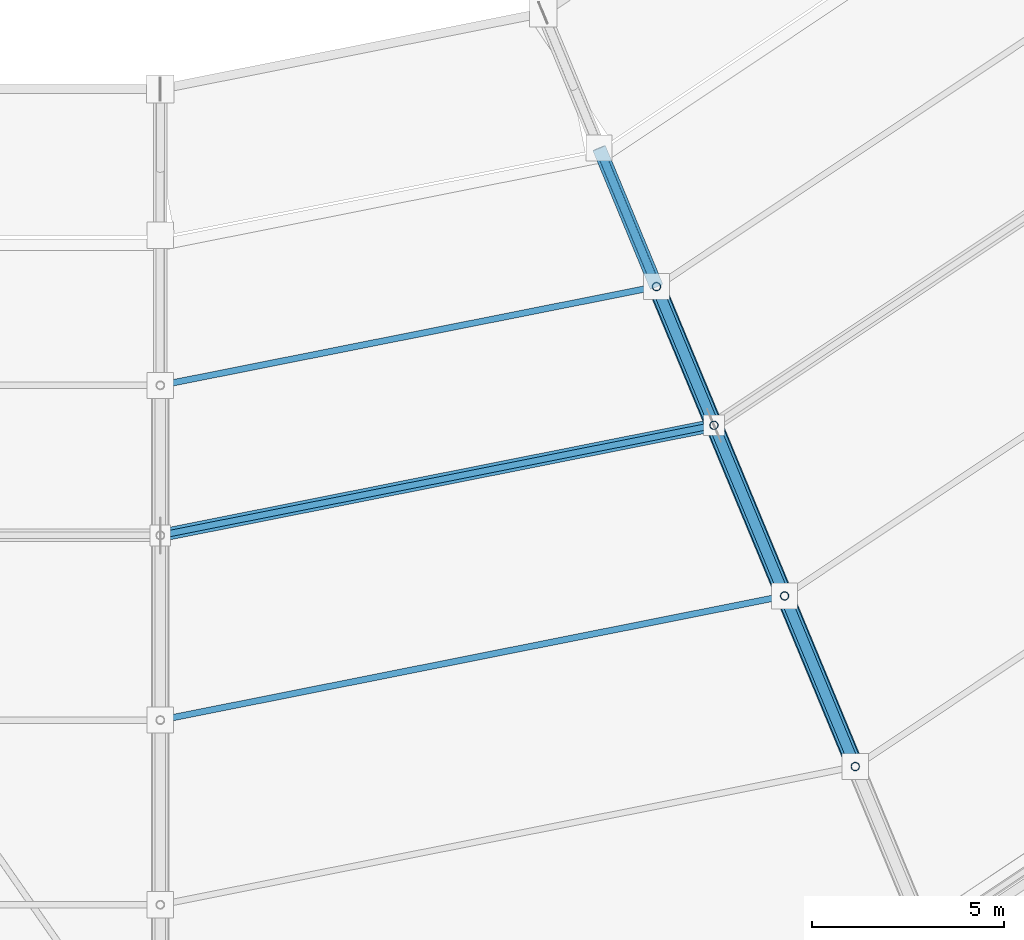
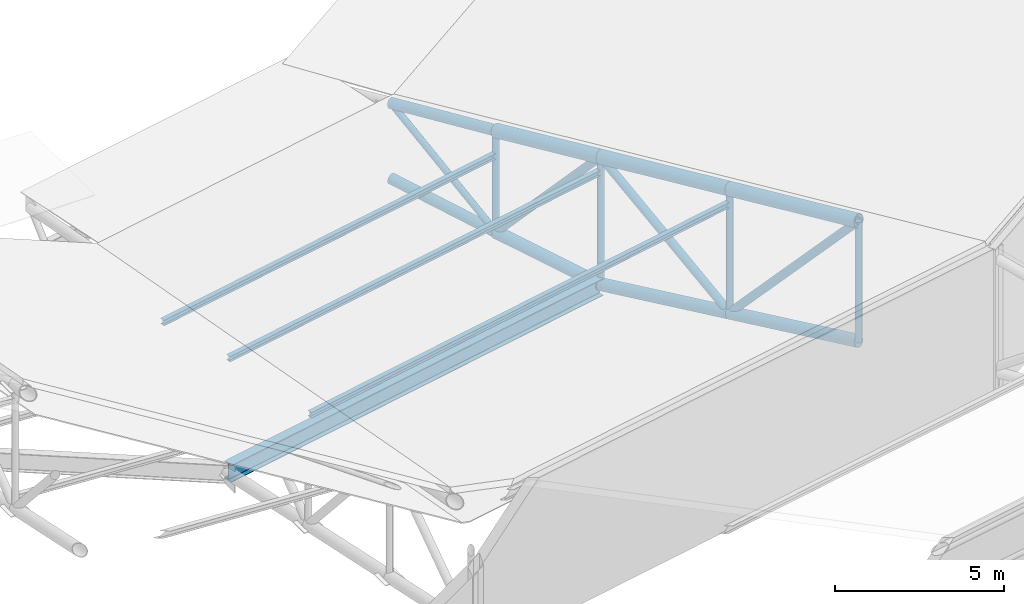
# One storey, part 62 of 146: 19 members, 1 beam.
"""IFC4 building model written with IfcOpenShell, lengths in metres."""

from ifc_helpers import new_model, si_unit, direction, frame, origin, origin_2d, place, context, subcontext, project, spatial, hollow_circle, i_section, extrude, material, material_profile, profile_set, type_object, element, save


model = new_model("IFC4")

# Units and contexts
model_context = context("Model", 3, precision=1e-05, world=origin(), true_north=direction((0.0, 1.0)))
body_context = subcontext(model_context, "Body", "Model", "MODEL_VIEW")
ifc_project = project(units=[si_unit("LENGTHUNIT", "METRE"), si_unit("AREAUNIT", "SQUARE_METRE"), si_unit("VOLUMEUNIT", "CUBIC_METRE"), si_unit("PLANEANGLEUNIT", "RADIAN"), si_unit("MASSUNIT", "GRAM", prefix="KILO")], contexts=[model_context])

# Site, building, storey
site_placement = place(None, origin())
site = spatial("IfcSite", under=ifc_project, at=site_placement, CompositionType="ELEMENT")
building_placement = place(site_placement, origin())
building = spatial("IfcBuilding", under=site, at=building_placement, Name="Candeia Ridge Stadium", CompositionType="ELEMENT")
storey_placement = place(building_placement, frame((0.0, 0.0, 31.800048828125)))
storey = spatial("IfcBuildingStorey", under=building, at=storey_placement, Name="RF", CompositionType="ELEMENT", Elevation=31.800048828125)

# Beam
ifc_material = material(Name="Steel ASTM A572 Grade 50", Category="steel")
ifc_material_profile_1 = material_profile(ifc_material, i_section(OverallWidth=0.324951171875, OverallDepth=0.615966796875, WebThickness=0.013916015625, FlangeThickness=0.021484375, FilletRadius=0.014892578125, at=origin_2d()), Name="W610x174", Category="steel")
ifc_profile_set_1 = profile_set([ifc_material_profile_1], Name="Steel ASTM A572 Grade 50")
beam_type = type_object("IfcBeamType", Name="Roof Compression Ring Beam W610x174", PredefinedType="BEAM", material=ifc_profile_set_1)
beam_placement = place(storey_placement, frame((141.039306640625, 33.40771484375, -2.6640625), z_axis=(0.980782874014, 0.195102419364, 0.0), x_axis=(-0.195102419364, 0.980782874014, 0.0)))
element("IfcBeam", 1, at=beam_placement, inside=storey, type_object=beam_type, Name="Roof compression ring beam bay 26", PredefinedType="BEAM", context=body_context, shape_type="SweptSolid", body=[
    extrude(i_section(OverallWidth=0.324951171875, OverallDepth=0.615966796875, WebThickness=0.013916015625, FlangeThickness=0.021484375, FilletRadius=0.014892578125, at=origin_2d()), origin(), (0.0, 0.0, 1.0), 14.590576171875),
])

# Members
ifc_material_profile_2 = material_profile(ifc_material, i_section(OverallWidth=0.1650390625, OverallDepth=0.200927734375, WebThickness=0.006103515625, FlangeThickness=0.01025390625, FilletRadius=0.010009765625, at=origin_2d()), Name="W200x35.9", Category="steel")
ifc_profile_set_2 = profile_set([ifc_material_profile_2], Name="Steel ASTM A572 Grade 50")
member_type_1 = type_object("IfcMemberType", Name="Roof Purlin W200x35.9", PredefinedType="PURLIN", material=ifc_profile_set_2)
member_1_placement = place(storey_placement, frame((141.049072265625, 37.309814453125, 0.3544921875), z_axis=(0.980786655499, 0.195083408815, 0.0), x_axis=(-0.195083408815, 0.980786655499, 0.0)))
element("IfcMember", 2, at=member_1_placement, inside=storey, type_object=member_type_1, Name="Saddle roof steel purlin bay 26-1", PredefinedType="PURLIN", context=body_context, shape_type="SweptSolid", body=[
    extrude(i_section(OverallWidth=0.1650390625, OverallDepth=0.200927734375, WebThickness=0.006103515625, FlangeThickness=0.01025390625, FilletRadius=0.010009765625, at=origin_2d()), origin(), (0.0, 0.0, 1.0), 13.049072265625),
])
member_2_placement = place(storey_placement, frame((141.049072265625, 33.40966796875, 1.416015625), z_axis=(0.980783149699, 0.195101033486, 0.0), x_axis=(-0.195101033486, 0.980783149699, 0.0)))
element("IfcMember", 3, at=member_2_placement, inside=storey, type_object=member_type_1, Name="Saddle roof steel purlin bay 26-2", PredefinedType="PURLIN", context=body_context, shape_type="SweptSolid", body=[
    extrude(i_section(OverallWidth=0.1650390625, OverallDepth=0.200927734375, WebThickness=0.006103515625, FlangeThickness=0.01025390625, FilletRadius=0.010009765625, at=origin_2d()), origin(), (0.0, 0.0, 1.0), 14.57080078125),
])
member_3_placement = place(storey_placement, frame((141.049072265625, 28.60986328125, 2.303955078125), z_axis=(0.980785144259, 0.195091006457, 0.0), x_axis=(-0.195091006457, 0.980785144259, 0.0)))
element("IfcMember", 4, at=member_3_placement, inside=storey, type_object=member_type_1, Name="Saddle roof steel purlin bay 26-3", PredefinedType="PURLIN", context=body_context, shape_type="SweptSolid", body=[
    extrude(i_section(OverallWidth=0.1650390625, OverallDepth=0.200927734375, WebThickness=0.006103515625, FlangeThickness=0.01025390625, FilletRadius=0.010009765625, at=origin_2d()), origin(), (0.0, 0.0, 1.0), 16.443603515625),
])
ifc_material_profile_3 = material_profile(ifc_material, hollow_circle(Radius=0.136474609375, WallThickness=0.010009765625, at=origin_2d()), Name="CHS273x10", Category="steel")
ifc_profile_set_3 = profile_set([ifc_material_profile_3], Name="Steel ASTM A572 Grade 50")
member_type_2 = type_object("IfcMemberType", Name="Roof Truss Heavy Web Brace CHS273x10", PredefinedType="BRACE", material=ifc_profile_set_3)
member_4_placement = place(storey_placement, frame((153.896484375, 39.865234375, -2.444091796875), z_axis=(0.254477196729, -0.61435865685, 0.746863305498), x_axis=(0.923878730261, 0.382685369162, 0.0)))
element("IfcMember", 5, at=member_4_placement, inside=storey, type_object=member_type_2, Name="Roof cantilever truss RT-27 diagonal web 3", PredefinedType="BRACE", context=body_context, shape_type="SweptSolid", body=[
    extrude(hollow_circle(Radius=0.136474609375, WallThickness=0.010009765625, at=origin_2d()), origin(), (0.0, 0.0, 1.0), 5.86474609375),
])
member_5_placement = place(storey_placement, frame((155.388916015625, 36.26220703125, 1.93603515625), z_axis=(0.306791934683, -0.740679890153, -0.597722351211), x_axis=(0.923882937544, 0.382675211785, 0.0)))
element("IfcMember", 6, at=member_5_placement, inside=storey, type_object=member_type_2, Name="Roof cantilever truss RT-27 diagonal web 4", PredefinedType="BRACE", context=body_context, shape_type="SweptSolid", body=[
    extrude(hollow_circle(Radius=0.136474609375, WallThickness=0.010009765625, at=origin_2d()), origin(), (0.0, 0.0, 1.0), 5.987548828125),
])
member_6_placement = place(storey_placement, frame((157.225830078125, 31.827392578125, -1.642822265625), z_axis=(0.255440364672, -0.616669163197, 0.744626996058), x_axis=(0.923875488976, 0.382693194178, 0.0)))
element("IfcMember", 7, at=member_6_placement, inside=storey, type_object=member_type_2, Name="Roof cantilever truss RT-27 diagonal web 5", PredefinedType="BRACE", context=body_context, shape_type="SweptSolid", body=[
    extrude(hollow_circle(Radius=0.136474609375, WallThickness=0.010009765625, at=origin_2d()), origin(), (0.0, 0.0, 1.0), 7.191162109375),
])
ifc_material_profile_4 = material_profile(ifc_material, hollow_circle(Radius=0.109619140625, WallThickness=0.010009765625, at=origin_2d()), Name="CHS219x10", Category="steel")
ifc_profile_set_4 = profile_set([ifc_material_profile_4], Name="Steel ASTM A572 Grade 50")
member_type_3 = type_object("IfcMemberType", Name="Roof Truss Inner Web Brace CHS219x10", PredefinedType="BRACE", material=ifc_profile_set_4)
member_7_placement = place(storey_placement, frame((152.404052734375, 43.468505859375, 0.54296875), z_axis=(0.303797893097, -0.73347834193, -0.608043059388), x_axis=(0.923887897394, 0.382663237128, 0.0)))
element("IfcMember", 8, at=member_7_placement, inside=storey, type_object=member_type_3, Name="Roof cantilever truss RT-27 diagonal web 2", PredefinedType="BRACE", context=body_context, shape_type="SweptSolid", body=[
    extrude(hollow_circle(Radius=0.109619140625, WallThickness=0.010009765625, at=origin_2d()), origin(), (0.0, 0.0, 1.0), 4.91259765625),
])
member_8_placement = place(storey_placement, frame((153.896484375, 39.865234375, -2.444091796875), z_axis=(0.0, 0.0, 1.0), x_axis=(1.0, 0.0, 0.0)))
element("IfcMember", 9, at=member_8_placement, inside=storey, type_object=member_type_3, Name="Roof cantilever truss RT-27 vertical post 2", PredefinedType="BRACE", context=body_context, shape_type="SweptSolid", body=[
    extrude(hollow_circle(Radius=0.109619140625, WallThickness=0.010009765625, at=origin_2d()), origin(), (0.0, 0.0, 1.0), 3.658447265625),
])
member_9_placement = place(storey_placement, frame((155.388916015625, 36.26220703125, -2.6640625), z_axis=(0.0, 0.0, 1.0), x_axis=(1.0, 0.0, 0.0)))
element("IfcMember", 10, at=member_9_placement, inside=storey, type_object=member_type_3, Name="Roof cantilever truss RT-27 vertical post 3", PredefinedType="BRACE", context=body_context, shape_type="SweptSolid", body=[
    extrude(hollow_circle(Radius=0.109619140625, WallThickness=0.010009765625, at=origin_2d()), origin(), (0.0, 0.0, 1.0), 4.60009765625),
])
member_10_placement = place(storey_placement, frame((157.225830078125, 31.827392578125, -1.642822265625), z_axis=(0.0, 0.0, 1.0), x_axis=(1.0, 0.0, 0.0)))
element("IfcMember", 11, at=member_10_placement, inside=storey, type_object=member_type_3, Name="Roof cantilever truss RT-27 vertical post 4", PredefinedType="BRACE", context=body_context, shape_type="SweptSolid", body=[
    extrude(hollow_circle(Radius=0.109619140625, WallThickness=0.010009765625, at=origin_2d()), origin(), (0.0, 0.0, 1.0), 4.466796875),
])
member_11_placement = place(storey_placement, frame((159.062744140625, 27.392822265625, -0.621337890625), z_axis=(0.0, 0.0, 1.0), x_axis=(1.0, 0.0, 0.0)))
element("IfcMember", 12, at=member_11_placement, inside=storey, type_object=member_type_3, Name="Roof cantilever truss RT-27 vertical post 5", PredefinedType="BRACE", context=body_context, shape_type="SweptSolid", body=[
    extrude(hollow_circle(Radius=0.109619140625, WallThickness=0.010009765625, at=origin_2d()), origin(), (0.0, 0.0, 1.0), 4.333251953125),
])
ifc_material_profile_5 = material_profile(ifc_material, hollow_circle(Radius=0.228515625, WallThickness=0.02001953125, at=origin_2d()), Name="CHS457x20", Category="steel")
ifc_profile_set_5 = profile_set([ifc_material_profile_5], Name="Steel ASTM A572 Grade 50")
member_type_4 = type_object("IfcMemberType", Name="Roof Truss Main Chord CHS457x20", PredefinedType="CHORD", material=ifc_profile_set_5)
member_12_placement = place(storey_placement, frame((153.896484375, 39.865234375, 1.21435546875), z_axis=(0.376296661416, -0.908455116829, 0.181961873245), x_axis=(0.923878730261, 0.382685369162, 0.0)))
element("IfcMember", 13, at=member_12_placement, inside=storey, type_object=member_type_4, Name="Roof cantilever truss RT-27 top chord 3", PredefinedType="CHORD", context=body_context, shape_type="SweptSolid", body=[
    extrude(hollow_circle(Radius=0.228515625, WallThickness=0.02001953125, at=origin_2d()), origin(), (0.0, 0.0, 1.0), 3.966064453125),
])
member_13_placement = place(storey_placement, frame((155.388916015625, 36.26220703125, 1.93603515625), z_axis=(0.376291464053, -0.908470819314, 0.181894212488), x_axis=(0.923882937544, 0.382675211785, 0.0)))
element("IfcMember", 14, at=member_13_placement, inside=storey, type_object=member_type_4, Name="Roof cantilever truss RT-27 top chord 4", PredefinedType="CHORD", context=body_context, shape_type="SweptSolid", body=[
    extrude(hollow_circle(Radius=0.228515625, WallThickness=0.02001953125, at=origin_2d()), origin(), (0.0, 0.0, 1.0), 4.881591796875),
])
member_14_placement = place(storey_placement, frame((157.225830078125, 31.827392578125, 2.823974609375), z_axis=(0.376308561394, -0.908462082556, 0.181902477112), x_axis=(0.923875488976, 0.382693194178, 0.0)))
element("IfcMember", 15, at=member_14_placement, inside=storey, type_object=member_type_4, Name="Roof cantilever truss RT-27 top chord 5", PredefinedType="CHORD", context=body_context, shape_type="SweptSolid", body=[
    extrude(hollow_circle(Radius=0.228515625, WallThickness=0.02001953125, at=origin_2d()), origin(), (0.0, 0.0, 1.0), 4.88134765625),
])
ifc_material_profile_6 = material_profile(ifc_material, hollow_circle(Radius=0.202880859375, WallThickness=0.01611328125, at=origin_2d()), Name="CHS406x16", Category="steel")
ifc_profile_set_6 = profile_set([ifc_material_profile_6], Name="Steel ASTM A572 Grade 50")
member_type_5 = type_object("IfcMemberType", Name="Roof Truss Outer Chord CHS406x16", PredefinedType="CHORD", material=ifc_profile_set_6)
member_15_placement = place(storey_placement, frame((153.896484375, 39.865234375, -2.444091796875), z_axis=(0.382078071491, -0.922412592682, -0.056314795095), x_axis=(0.923878730261, 0.382685369162, 0.0)))
element("IfcMember", 16, at=member_15_placement, inside=storey, type_object=member_type_5, Name="Roof cantilever truss RT-27 bottom chord 3", PredefinedType="CHORD", context=body_context, shape_type="SweptSolid", body=[
    extrude(hollow_circle(Radius=0.202880859375, WallThickness=0.01611328125, at=origin_2d()), origin(), (0.0, 0.0, 1.0), 3.906005859375),
])
member_16_placement = place(storey_placement, frame((155.388916015625, 36.26220703125, -2.6640625), z_axis=(0.374298115224, -0.903658328422, 0.208092639019), x_axis=(0.923882937544, 0.382675211785, 0.0)))
element("IfcMember", 17, at=member_16_placement, inside=storey, type_object=member_type_5, Name="Roof cantilever truss RT-27 bottom chord 4", PredefinedType="CHORD", context=body_context, shape_type="SweptSolid", body=[
    extrude(hollow_circle(Radius=0.202880859375, WallThickness=0.01611328125, at=origin_2d()), origin(), (0.0, 0.0, 1.0), 4.90771484375),
])
member_17_placement = place(storey_placement, frame((157.225830078125, 31.827392578125, -1.642822265625), z_axis=(0.374311066606, -0.903639847666, 0.208149588341), x_axis=(0.923875488976, 0.382693194178, 0.0)))
element("IfcMember", 18, at=member_17_placement, inside=storey, type_object=member_type_5, Name="Roof cantilever truss RT-27 bottom chord 5", PredefinedType="CHORD", context=body_context, shape_type="SweptSolid", body=[
    extrude(hollow_circle(Radius=0.202880859375, WallThickness=0.01611328125, at=origin_2d()), origin(), (0.0, 0.0, 1.0), 4.907470703125),
])
ifc_material_profile_7 = material_profile(ifc_material, hollow_circle(Radius=0.177734375, WallThickness=0.01416015625, at=origin_2d()), Name="CHS355x14", Category="steel")
ifc_profile_set_7 = profile_set([ifc_material_profile_7], Name="Steel ASTM A572 Grade 50")
member_type_6 = type_object("IfcMemberType", Name="Roof Truss Tip Chord CHS355x14", PredefinedType="CHORD", material=ifc_profile_set_7)
member_18_placement = place(storey_placement, frame((152.404052734375, 43.468505859375, 0.54296875), z_axis=(0.377116301866, -0.91049558306, 0.169649898599), x_axis=(0.923887897394, 0.382663237128, 0.0)))
element("IfcMember", 19, at=member_18_placement, inside=storey, type_object=member_type_6, Name="Roof cantilever truss RT-27 top chord 2", PredefinedType="CHORD", context=body_context, shape_type="SweptSolid", body=[
    extrude(hollow_circle(Radius=0.177734375, WallThickness=0.01416015625, at=origin_2d()), origin(), (0.0, 0.0, 1.0), 3.95751953125),
])
member_19_placement = place(storey_placement, frame((152.404052734375, 43.468505859375, -2.17431640625), z_axis=(0.381751056295, -0.921685561894, -0.069006202717), x_axis=(0.923887897394, 0.382663237128, 0.0)))
element("IfcMember", 20, at=member_19_placement, inside=storey, type_object=member_type_6, Name="Roof cantilever truss RT-27 bottom chord 2", PredefinedType="CHORD", context=body_context, shape_type="SweptSolid", body=[
    extrude(hollow_circle(Radius=0.177734375, WallThickness=0.01416015625, at=origin_2d()), origin(), (0.0, 0.0, 1.0), 3.909423828125),
])

save(model, "model.ifc")
